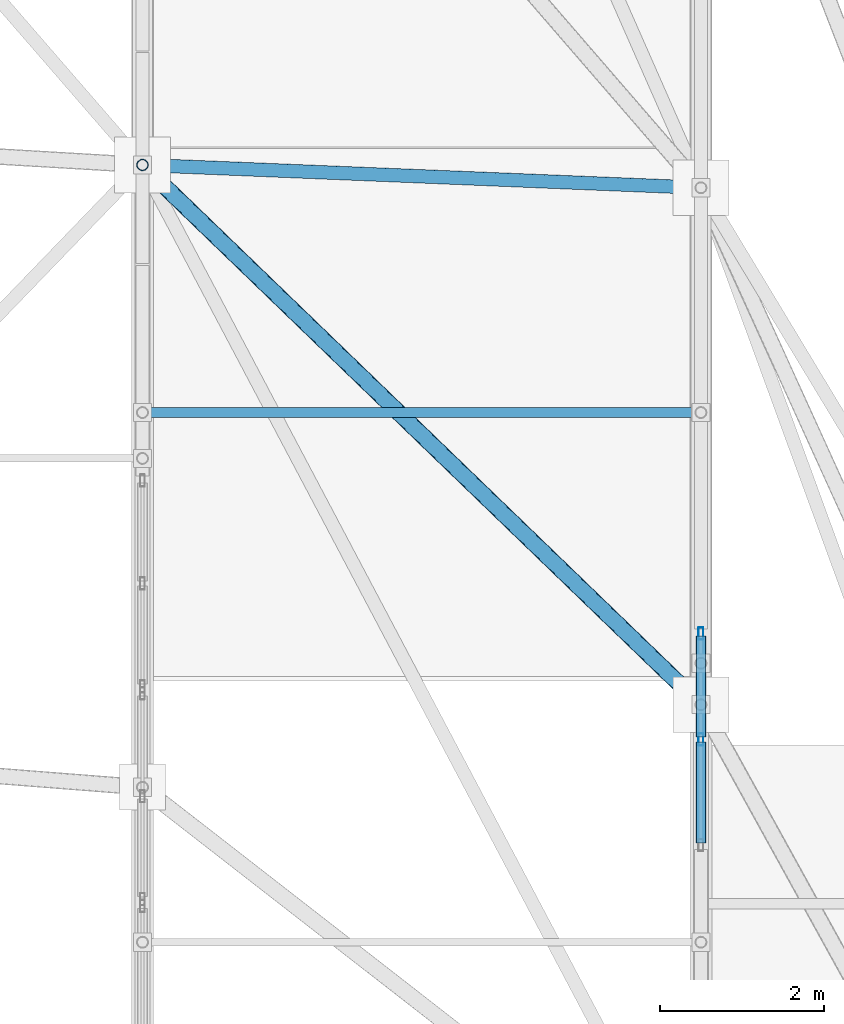
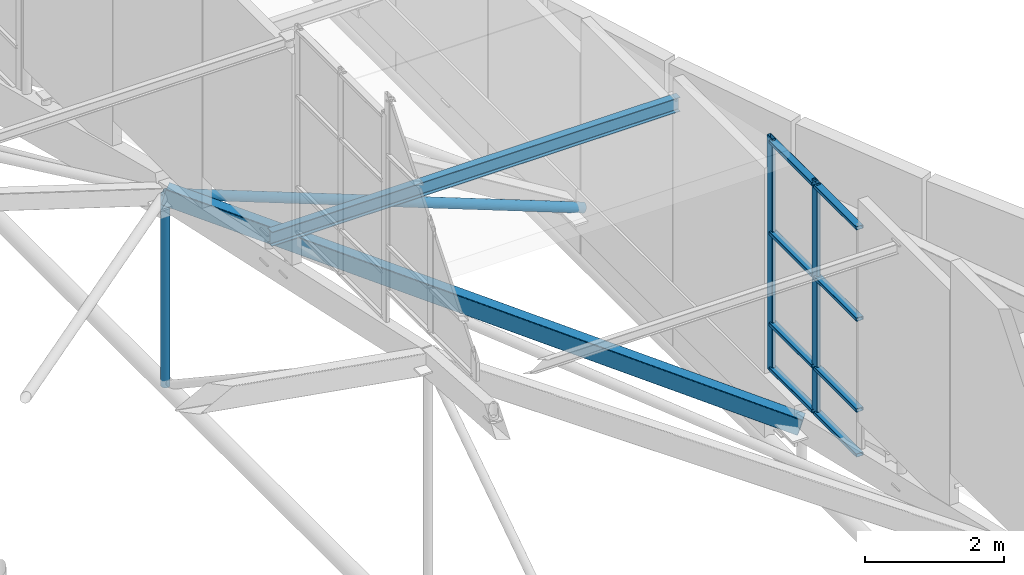
# One storey, part 50 of 188: 14 members, 1 element without a shape of its own.
"""IFC4 building model written with IfcOpenShell, lengths in metres."""

import ifcopenshell
import ifcopenshell.guid

model = None  # the IFC model being written
_history = None  # IfcOwnerHistory: only IFC2X3 demands one
_inside = {}  # id of a spatial element -> (the spatial element, [elements in it])
_under = {}  # id of a project, library or spatial element -> (it, [spatial elements below it])
_declared = {}  # id of a project -> (the project, [libraries it declares])
_typed = {}  # id of a type object -> (the type object, [elements of that type])
_made_of = {}  # id of a material, layer set ... -> (it, [elements and type objects made of it])


def new_model(schema):
    """Start an empty IFC model of exactly this schema.

    Asked for "IFC4X3", IfcOpenShell would pick the latest addendum, in which some entities
    have other attributes; the version numbers below select the first issue.
    IFC2X3 requires an IfcOwnerHistory on every rooted entity: one is made here for all.
    """
    global model, _history
    if schema == "IFC4X3":
        model = ifcopenshell.file(schema_version=(4, 3, 0, 0))
    else:
        model = ifcopenshell.file(schema=schema)
    _inside.clear()
    _under.clear()
    _declared.clear()
    _typed.clear()
    _made_of.clear()
    _history = None
    if model.schema == "IFC2X3":
        org = make("IfcOrganization", Name="unknown")
        user = make(
            "IfcPersonAndOrganization",
            ThePerson=make("IfcPerson", FamilyName="unknown"),
            TheOrganization=org,
        )
        app = make(
            "IfcApplication",
            ApplicationDeveloper=org,
            Version="unknown",
            ApplicationFullName="unknown",
            ApplicationIdentifier="unknown",
        )
        _history = make(
            "IfcOwnerHistory",
            OwningUser=user,
            OwningApplication=app,
            ChangeAction="ADDED",
            CreationDate=0,
        )
    return model


def make(cls, **values):
    """One entity of the class cls with the attributes given. An attribute that is None is left unset."""
    return model.create_entity(
        cls, **{name: value for name, value in values.items() if value is not None}
    )


def rooted(cls, **values):
    """An entity with a GlobalId (a new one), such as an element, a storey or a relation."""
    return make(cls, GlobalId=ifcopenshell.guid.new(), OwnerHistory=_history, **values)


def si_unit(unit_type, name, prefix=None):
    """IfcSIUnit, for example si_unit("LENGTHUNIT", "METRE", prefix="MILLI")."""
    return make("IfcSIUnit", UnitType=unit_type, Prefix=prefix, Name=name)


def assignment(units):
    """IfcUnitAssignment: the units of a project."""
    return None if units is None else make("IfcUnitAssignment", Units=units)


def point(xyz):
    """IfcCartesianPoint."""
    return None if xyz is None else make("IfcCartesianPoint", Coordinates=xyz)


def direction(xyz):
    """IfcDirection."""
    return None if xyz is None else make("IfcDirection", DirectionRatios=xyz)


def frame(location, z_axis=None, x_axis=None):
    """IfcAxis2Placement3D, a coordinate frame: its origin and axes. An axis left out is left unset."""
    return make(
        "IfcAxis2Placement3D",
        Location=point(location),
        Axis=direction(z_axis),
        RefDirection=direction(x_axis),
    )


def frame_2d(location, x_axis=None):
    """IfcAxis2Placement2D, a coordinate frame in the plane: its origin and x axis."""
    return make(
        "IfcAxis2Placement2D", Location=point(location), RefDirection=direction(x_axis)
    )


def origin():
    """The frame at (0, 0, 0) with its axes left unset."""
    return frame((0.0, 0.0, 0.0))


def origin_2d():
    """The frame at (0, 0) in the plane with its x axis left unset."""
    return frame_2d((0.0, 0.0))


def place(relative_to, where):
    """IfcLocalPlacement: puts the frame where relative to a parent placement (None: the world)."""
    return make(
        "IfcLocalPlacement", PlacementRelTo=relative_to, RelativePlacement=where
    )


def context(
    kind, dimensions, precision=None, world=None, true_north=None, identifier=None
):
    """IfcGeometricRepresentationContext, for example the 3D "Model" context."""
    return make(
        "IfcGeometricRepresentationContext",
        ContextIdentifier=identifier,
        ContextType=kind,
        CoordinateSpaceDimension=dimensions,
        Precision=precision,
        WorldCoordinateSystem=world,
        TrueNorth=true_north,
    )


def subcontext(parent, identifier, kind, view, scale=None):
    """IfcGeometricRepresentationSubContext, for example "Body" below "Model"."""
    return make(
        "IfcGeometricRepresentationSubContext",
        ContextIdentifier=identifier,
        ContextType=kind,
        ParentContext=parent,
        TargetScale=scale,
        TargetView=view,
    )


def project(units=None, contexts=None):
    """IfcProject with its units and contexts."""
    return rooted(
        "IfcProject",
        Name="project",
        RepresentationContexts=contexts,
        UnitsInContext=assignment(units),
    )


def spatial(cls, under=None, at=None, **own):
    """A site, building, storey or space (cls), placed at a placement, below another one or the project."""
    s = rooted(cls, ObjectPlacement=at, **own)
    if under is not None:
        _under.setdefault(under.id(), (under, []))[1].append(s)
    return s


def profile(cls, at=None, kind="AREA", **sizes):
    """A parametric profile (cls). Its sizes go by their IFC names, for example OverallWidth=200.0."""
    return make(cls, ProfileType=kind, Position=at, **sizes)


def hollow_rectangle(**sizes):
    """IfcRectangleHollowProfileDef."""
    return profile("IfcRectangleHollowProfileDef", **sizes)


def hollow_circle(**sizes):
    """IfcCircleHollowProfileDef."""
    return profile("IfcCircleHollowProfileDef", **sizes)


def i_section(**sizes):
    """IfcIShapeProfileDef."""
    return profile("IfcIShapeProfileDef", **sizes)


def extrude(swept, where, along, depth):
    """IfcExtrudedAreaSolid: the profile swept, set in the frame where, extruded along a direction by depth."""
    return make(
        "IfcExtrudedAreaSolid",
        SweptArea=swept,
        Position=where,
        ExtrudedDirection=direction(along),
        Depth=depth,
    )


def shape(context_of_items, identifier, shape_type, items):
    """IfcShapeRepresentation: the items that make up one representation, for example the "Body"."""
    return make(
        "IfcShapeRepresentation",
        ContextOfItems=context_of_items,
        RepresentationIdentifier=identifier,
        RepresentationType=shape_type,
        Items=items,
    )


def material(Name=None, Category=None):
    """IfcMaterial."""
    return make("IfcMaterial", Name=Name, Category=Category)


def layer(
    of_material, thickness, ventilated=None, Name=None, Category=None, Priority=None
):
    """IfcMaterialLayer: one layer of a wall or slab, of a material (None: an air gap)."""
    return make(
        "IfcMaterialLayer",
        Material=of_material,
        LayerThickness=thickness,
        IsVentilated=ventilated,
        Name=Name,
        Category=Category,
        Priority=Priority,
    )


def layer_set(layers, Name=None):
    """IfcMaterialLayerSet."""
    return make("IfcMaterialLayerSet", MaterialLayers=layers, LayerSetName=Name)


def material_profile(
    of_material, cross_section, Name=None, Category=None, Priority=None
):
    """IfcMaterialProfile: a cross section and its material."""
    return make(
        "IfcMaterialProfile",
        Name=Name,
        Material=of_material,
        Profile=cross_section,
        Priority=Priority,
        Category=Category,
    )


def profile_set(profiles, Name=None, composite=None):
    """IfcMaterialProfileSet."""
    return make(
        "IfcMaterialProfileSet",
        Name=Name,
        MaterialProfiles=profiles,
        CompositeProfile=composite,
    )


def made_of(thing, what):
    """Note that an element or type object is made of a material, layer set ...; save() writes the relation."""
    if what is not None:
        _made_of.setdefault(what.id(), (what, []))[1].append(thing)
    return thing


def type_object(cls, material=None, **own):
    """A type object (cls), such as IfcWallType, which elements share."""
    return made_of(rooted(cls, **own), material)


def element(
    cls,
    number,
    at=None,
    inside=None,
    cuts=None,
    type_object=None,
    material=None,
    context=None,
    identifier="Body",
    shape_type=None,
    held_by="IfcProductDefinitionShape",
    body=None,
    shapes=None,
    **own,
):
    """One element of the class cls, such as IfcWall. Its Tag is "e" and its number.

    at: its placement. inside: the storey or other place that contains it. cuts: it is an
    opening in that element (IfcRelVoidsElement). A single representation is given by context,
    identifier, shape_type and body (its items); several are given by shapes. held_by: the class
    of the entity that holds the representations. save() writes the other relations.
    """
    e = rooted(cls, Tag="e%d" % number, ObjectPlacement=at, **own)
    if body is not None:
        shapes = [shape(context, identifier, shape_type, body)]
    if shapes is not None:
        e.Representation = make(held_by, Representations=shapes)
    if inside is not None:
        _inside.setdefault(inside.id(), (inside, []))[1].append(e)
    if cuts is not None:
        rooted(
            "IfcRelVoidsElement", RelatingBuildingElement=cuts, RelatedOpeningElement=e
        )
    if type_object is not None:
        _typed.setdefault(type_object.id(), (type_object, []))[1].append(e)
    return made_of(e, material)


def aggregate(whole, parts):
    """IfcRelAggregates: a whole, such as a stair, and the parts it consists of."""
    return rooted("IfcRelAggregates", RelatingObject=whole, RelatedObjects=parts)


def save(model, path):
    """Write the relations noted so far, then the file.

    IfcRelAggregates (storeys below a building ...), IfcRelContainedInSpatialStructure (elements
    in a storey), IfcRelDefinesByType, IfcRelAssociatesMaterial and IfcRelDeclares: one each for
    every whole, place, type object, material and project.
    """
    for whole, parts in _under.values():
        aggregate(whole, parts)
    for where, things in _inside.values():
        rooted(
            "IfcRelContainedInSpatialStructure",
            RelatedElements=things,
            RelatingStructure=where,
        )
    for kind, things in _typed.values():
        rooted("IfcRelDefinesByType", RelatedObjects=things, RelatingType=kind)
    for what, things in _made_of.values():
        rooted("IfcRelAssociatesMaterial", RelatedObjects=things, RelatingMaterial=what)
    for by, libraries in _declared.values():
        rooted("IfcRelDeclares", RelatingContext=by, RelatedDefinitions=libraries)
    model.write(path)


model = new_model("IFC4")

# Units and contexts
model_context = context("Model", 3, precision=1e-05, world=origin(), true_north=direction((0.0, 1.0)))
body_context = subcontext(model_context, "Body", "Model", "MODEL_VIEW")
ifc_project = project(units=[si_unit("LENGTHUNIT", "METRE"), si_unit("AREAUNIT", "SQUARE_METRE"), si_unit("VOLUMEUNIT", "CUBIC_METRE"), si_unit("PLANEANGLEUNIT", "RADIAN"), si_unit("MASSUNIT", "GRAM", prefix="KILO")], contexts=[model_context])

# Site, building, storey
site_placement = place(None, origin())
site = spatial("IfcSite", under=ifc_project, at=site_placement, CompositionType="ELEMENT")
building_placement = place(site_placement, origin())
building = spatial("IfcBuilding", under=site, at=building_placement, Name="Kisaragi Civic Commons", CompositionType="ELEMENT")
storey_placement = place(building_placement, frame((0.0, 0.0, 9.60009765625)))
storey = spatial("IfcBuildingStorey", under=building, at=storey_placement, Name="L02", CompositionType="ELEMENT", Elevation=9.60009765625)

# Member
ifc_material_1 = material(Name="Steel SN400 (SN400B)", Category="steel")
ifc_material_profile_1 = material_profile(ifc_material_1, hollow_circle(Radius=0.08251953125, WallThickness=0.006103515625, at=origin_2d()), Name="CHS-165.2x6.0", Category="steel")
ifc_profile_set_1 = profile_set([ifc_material_profile_1], Name="Steel SN400 (SN400B)")
member_type_1 = type_object("IfcMemberType", Name="BR-02", PredefinedType="BRACE", material=ifc_profile_set_1)
member_1_placement = place(storey_placement, frame((20.39990234375, 39.66748046875, 2.875244140625), z_axis=(0.939689393228, -0.038359488748, -0.33987114305), x_axis=(0.04078748569, 0.999167844264, 0.0)))
element("IfcMember", 1, at=member_1_placement, inside=storey, type_object=member_type_1, Name="V1 diagonal gridshell steel brace 23", PredefinedType="BRACE", context=body_context, shape_type="SweptSolid", body=[
    extrude(hollow_circle(Radius=0.08251953125, WallThickness=0.006103515625, at=origin_2d()), origin(), (0.0, 0.0, 1.0), 7.236572265625),
])

# Curtain wall, members
ifc_material_2 = material(Name="Thermally broken anodized aluminium and low-E double glazing", Category="aluminium")
ifc_layer = layer(ifc_material_2, 0.14990234375, Name="Thermally broken anodized aluminium and low-E double glazing", Category="aluminium")
ifc_layer_set = layer_set([ifc_layer], Name="Thermally broken anodized aluminium and low-E double glazing")
curtain_wall_type = type_object("IfcCurtainWallType", Name="CW-03", PredefinedType="NOTDEFINED", material=ifc_layer_set)
curtain_wall_placement = place(storey_placement, origin())
curtain_wall = element("IfcCurtainWall", 2, at=curtain_wall_placement, inside=storey, type_object=curtain_wall_type, Name="L02 curtain wall CW-03 CW-CL-V1-169", PredefinedType="NOTDEFINED")
ifc_material_profile_2 = material_profile(ifc_material_2, hollow_rectangle(XDim=0.06005859375, YDim=0.14990234375, WallThickness=0.00390625, InnerFilletRadius=0.00390625, OuterFilletRadius=0.008056640625, at=origin_2d()), Name="CWM-60x150x4", Category="aluminium")
ifc_profile_set_2 = profile_set([ifc_material_profile_2], Name="Thermally broken anodized aluminium and low-E double glazing")
member_type_2 = type_object("IfcMemberType", Name="CWM-01", PredefinedType="MULLION", material=ifc_profile_set_2)
member_2_placement = place(storey_placement, frame((27.199951171875, 32.673095703125, 0.84326171875), z_axis=(0.0, 0.0, 1.0), x_axis=(-1.0, 0.0, 0.0)))
member_2 = element("IfcMember", 3, at=member_2_placement, type_object=member_type_2, Name="CW-03 mullion 2", PredefinedType="MULLION", context=body_context, shape_type="SweptSolid", body=[
    extrude(hollow_rectangle(XDim=0.06005859375, YDim=0.14990234375, WallThickness=0.00390625, InnerFilletRadius=0.00390625, OuterFilletRadius=0.008056640625, at=origin_2d()), origin(), (0.0, 0.0, 1.0), 4.11865234375),
])
member_3_placement = place(storey_placement, frame((27.199951171875, 33.96337890625, 0.84326171875), z_axis=(0.0, 0.0, 1.0), x_axis=(-1.0, 0.0, 0.0)))
member_3 = element("IfcMember", 4, at=member_3_placement, type_object=member_type_2, Name="CW-03 mullion 3", PredefinedType="MULLION", context=body_context, shape_type="SweptSolid", body=[
    extrude(hollow_rectangle(XDim=0.06005859375, YDim=0.14990234375, WallThickness=0.00390625, InnerFilletRadius=0.00390625, OuterFilletRadius=0.008056640625, at=origin_2d()), origin(), (0.0, 0.0, 1.0), 4.11865234375),
])
ifc_material_profile_3 = material_profile(ifc_material_2, hollow_rectangle(XDim=0.1201171875, YDim=0.06005859375, WallThickness=0.00390625, InnerFilletRadius=0.00390625, OuterFilletRadius=0.008056640625, at=origin_2d()), Name="CWT-60x120x4", Category="aluminium")
ifc_profile_set_3 = profile_set([ifc_material_profile_3], Name="Thermally broken anodized aluminium and low-E double glazing")
member_type_3 = type_object("IfcMemberType", Name="CWT-01", PredefinedType="USERDEFINED", material=ifc_profile_set_3)
member_4_placement = place(storey_placement, frame((27.199951171875, 31.412841796875, 0.9033203125), z_axis=(0.0, 1.0, 0.0), x_axis=(-1.0, 0.0, 0.0)))
member_4 = element("IfcMember", 5, at=member_4_placement, type_object=member_type_3, Name="CW-03 transom 1.1", ObjectType="TRANSOM", PredefinedType="USERDEFINED", context=body_context, shape_type="SweptSolid", body=[
    extrude(hollow_rectangle(XDim=0.1201171875, YDim=0.06005859375, WallThickness=0.00390625, InnerFilletRadius=0.00390625, OuterFilletRadius=0.008056640625, at=origin_2d()), origin(), (0.0, 0.0, 1.0), 1.230224609375),
])
member_5_placement = place(storey_placement, frame((27.199951171875, 31.412841796875, 1.693359375), z_axis=(0.0, 1.0, 0.0), x_axis=(-1.0, 0.0, 0.0)))
member_5 = element("IfcMember", 6, at=member_5_placement, type_object=member_type_3, Name="CW-03 transom 1.2", ObjectType="TRANSOM", PredefinedType="USERDEFINED", context=body_context, shape_type="SweptSolid", body=[
    extrude(hollow_rectangle(XDim=0.1201171875, YDim=0.06005859375, WallThickness=0.00390625, InnerFilletRadius=0.00390625, OuterFilletRadius=0.008056640625, at=origin_2d()), origin(), (0.0, 0.0, 1.0), 1.230224609375),
])
member_6_placement = place(storey_placement, frame((27.199951171875, 31.412841796875, 3.293212890625), z_axis=(0.0, 1.0, 0.0), x_axis=(-1.0, 0.0, 0.0)))
member_6 = element("IfcMember", 7, at=member_6_placement, type_object=member_type_3, Name="CW-03 transom 1.3", ObjectType="TRANSOM", PredefinedType="USERDEFINED", context=body_context, shape_type="SweptSolid", body=[
    extrude(hollow_rectangle(XDim=0.1201171875, YDim=0.06005859375, WallThickness=0.00390625, InnerFilletRadius=0.00390625, OuterFilletRadius=0.008056640625, at=origin_2d()), origin(), (0.0, 0.0, 1.0), 1.230224609375),
])
member_7_placement = place(storey_placement, frame((27.199951171875, 31.412841796875, 4.90185546875), z_axis=(0.0, 1.0, 0.0), x_axis=(-1.0, 0.0, 0.0)))
member_7 = element("IfcMember", 8, at=member_7_placement, type_object=member_type_3, Name="CW-03 transom 1.4", ObjectType="TRANSOM", PredefinedType="USERDEFINED", context=body_context, shape_type="SweptSolid", body=[
    extrude(hollow_rectangle(XDim=0.1201171875, YDim=0.06005859375, WallThickness=0.00390625, InnerFilletRadius=0.00390625, OuterFilletRadius=0.008056640625, at=origin_2d()), origin(), (0.0, 0.0, 1.0), 1.230224609375),
])
member_8_placement = place(storey_placement, frame((27.199951171875, 32.703125, 0.9033203125), z_axis=(0.0, 1.0, 0.0), x_axis=(-1.0, 0.0, 0.0)))
member_8 = element("IfcMember", 9, at=member_8_placement, type_object=member_type_3, Name="CW-03 transom 2.1", ObjectType="TRANSOM", PredefinedType="USERDEFINED", context=body_context, shape_type="SweptSolid", body=[
    extrude(hollow_rectangle(XDim=0.1201171875, YDim=0.06005859375, WallThickness=0.00390625, InnerFilletRadius=0.00390625, OuterFilletRadius=0.008056640625, at=origin_2d()), origin(), (0.0, 0.0, 1.0), 1.230224609375),
])
member_9_placement = place(storey_placement, frame((27.199951171875, 32.703125, 1.693359375), z_axis=(0.0, 1.0, 0.0), x_axis=(-1.0, 0.0, 0.0)))
member_9 = element("IfcMember", 10, at=member_9_placement, type_object=member_type_3, Name="CW-03 transom 2.2", ObjectType="TRANSOM", PredefinedType="USERDEFINED", context=body_context, shape_type="SweptSolid", body=[
    extrude(hollow_rectangle(XDim=0.1201171875, YDim=0.06005859375, WallThickness=0.00390625, InnerFilletRadius=0.00390625, OuterFilletRadius=0.008056640625, at=origin_2d()), origin(), (0.0, 0.0, 1.0), 1.230224609375),
])
member_10_placement = place(storey_placement, frame((27.199951171875, 32.703125, 3.293212890625), z_axis=(0.0, 1.0, 0.0), x_axis=(-1.0, 0.0, 0.0)))
member_10 = element("IfcMember", 11, at=member_10_placement, type_object=member_type_3, Name="CW-03 transom 2.3", ObjectType="TRANSOM", PredefinedType="USERDEFINED", context=body_context, shape_type="SweptSolid", body=[
    extrude(hollow_rectangle(XDim=0.1201171875, YDim=0.06005859375, WallThickness=0.00390625, InnerFilletRadius=0.00390625, OuterFilletRadius=0.008056640625, at=origin_2d()), origin(), (0.0, 0.0, 1.0), 1.230224609375),
])
member_11_placement = place(storey_placement, frame((27.199951171875, 32.703125, 4.90185546875), z_axis=(0.0, 1.0, 0.0), x_axis=(-1.0, 0.0, 0.0)))
member_11 = element("IfcMember", 12, at=member_11_placement, type_object=member_type_3, Name="CW-03 transom 2.4", ObjectType="TRANSOM", PredefinedType="USERDEFINED", context=body_context, shape_type="SweptSolid", body=[
    extrude(hollow_rectangle(XDim=0.1201171875, YDim=0.06005859375, WallThickness=0.00390625, InnerFilletRadius=0.00390625, OuterFilletRadius=0.008056640625, at=origin_2d()), origin(), (0.0, 0.0, 1.0), 1.230224609375),
])
aggregate(curtain_wall, [member_2, member_3, member_4, member_5, member_6, member_7, member_8, member_9, member_10, member_11])

# Members
ifc_material_3 = material(Name="Steel SN490 (SN490B)", Category="steel")
ifc_material_profile_4 = material_profile(ifc_material_3, hollow_rectangle(XDim=0.199951171875, YDim=0.300048828125, WallThickness=0.009033203125, InnerFilletRadius=0.009033203125, OuterFilletRadius=0.01806640625, at=origin_2d()), Name="STKR-300x200x9", Category="steel")
ifc_profile_set_4 = profile_set([ifc_material_profile_4], Name="Steel SN490 (SN490B)")
member_type_4 = type_object("IfcMemberType", Name="GC-02", PredefinedType="CHORD", material=ifc_profile_set_4)
member_12_placement = place(storey_placement, frame((20.39990234375, 39.66748046875, 2.875244140625), z_axis=(0.695898569839, -0.672587854093, -0.251695766795), x_axis=(0.694961150692, 0.71904728567, 0.0)))
element("IfcMember", 13, at=member_12_placement, inside=storey, type_object=member_type_4, Name="V1 wave gridshell chord GC-02 26", PredefinedType="CHORD", context=body_context, shape_type="SweptSolid", body=[
    extrude(hollow_rectangle(XDim=0.199951171875, YDim=0.300048828125, WallThickness=0.009033203125, InnerFilletRadius=0.009033203125, OuterFilletRadius=0.01806640625, at=origin_2d()), origin(), (0.0, 0.0, 1.0), 9.771728515625),
])
ifc_material_profile_5 = material_profile(ifc_material_1, i_section(OverallWidth=0.125, OverallDepth=0.25, WebThickness=0.006103515625, FlangeThickness=0.009033203125, FilletRadius=0.008056640625, at=origin_2d()), Name="H-250x125x6x9", Category="steel")
ifc_profile_set_5 = profile_set([ifc_material_profile_5], Name="Steel SN400 (SN400B)")
member_type_5 = type_object("IfcMemberType", Name="PR-01", PredefinedType="PURLIN", material=ifc_profile_set_5)
member_13_placement = place(storey_placement, frame((20.39990234375, 36.653076171875, 3.93212890625), z_axis=(1.0, 0.0, 0.0), x_axis=(0.0, 1.0, 0.0)))
element("IfcMember", 14, at=member_13_placement, inside=storey, type_object=member_type_5, Name="V1 wave vault steel purlin 30", PredefinedType="PURLIN", context=body_context, shape_type="SweptSolid", body=[
    extrude(i_section(OverallWidth=0.125, OverallDepth=0.25, WebThickness=0.006103515625, FlangeThickness=0.009033203125, FilletRadius=0.008056640625, at=origin_2d()), origin(), (0.0, 0.0, 1.0), 6.800048828125),
])
ifc_material_profile_6 = material_profile(ifc_material_3, hollow_circle(Radius=0.06982421875, WallThickness=0.006103515625, at=origin_2d()), Name="CHS-139.8x6.0", Category="steel")
ifc_profile_set_6 = profile_set([ifc_material_profile_6], Name="Steel SN490 (SN490B)")
member_type_6 = type_object("IfcMemberType", Name="ST-H1", PredefinedType="STRUT", material=ifc_profile_set_6)
member_14_placement = place(storey_placement, frame((20.39990234375, 39.66748046875, -0.49951171875), z_axis=(0.0, 0.0, 1.0), x_axis=(1.0, 0.0, 0.0)))
element("IfcMember", 15, at=member_14_placement, inside=storey, type_object=member_type_6, Name="V1 arch tie hanger strut 48", PredefinedType="STRUT", context=body_context, shape_type="SweptSolid", body=[
    extrude(hollow_circle(Radius=0.06982421875, WallThickness=0.006103515625, at=origin_2d()), origin(), (0.0, 0.0, 1.0), 3.374755859375),
])

save(model, "model.ifc")
